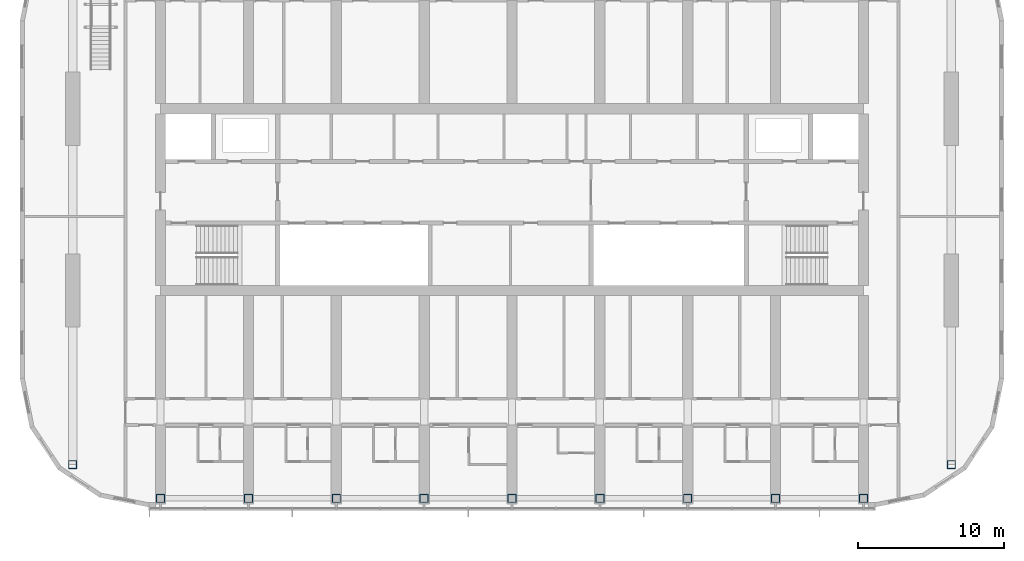
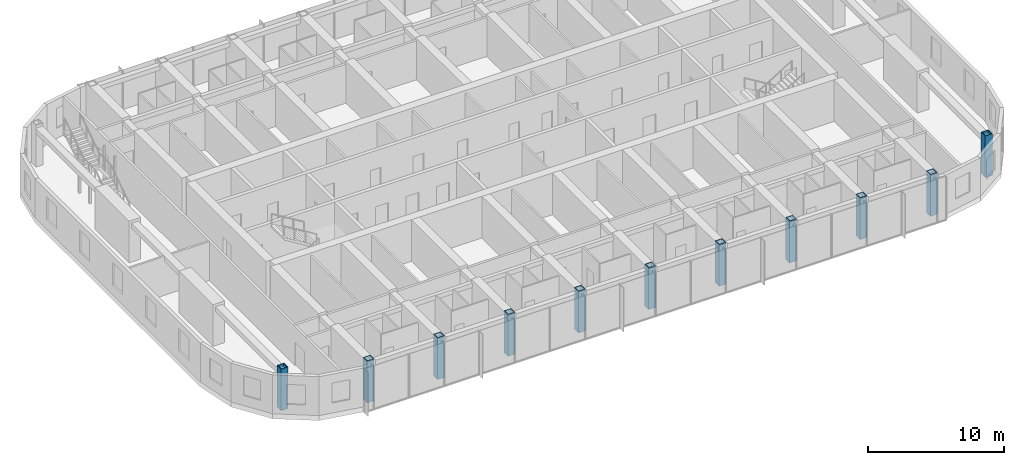
# One storey, part 1 of 27: 11 columns.
"""IFC4 building model written with IfcOpenShell, lengths in metres."""

from ifc_helpers import new_model, si_unit, direction, frame, origin, origin_2d, place, context, subcontext, project, spatial, hollow_rectangle, extrude, material, material_profile, profile_set, type_object, element, save


model = new_model("IFC4")

# Units and contexts
model_context = context("Model", 3, precision=1e-05, world=origin(), true_north=direction((0.0, 1.0)))
body_context = subcontext(model_context, "Body", "Model", "MODEL_VIEW")
ifc_project = project(units=[si_unit("LENGTHUNIT", "METRE"), si_unit("AREAUNIT", "SQUARE_METRE"), si_unit("VOLUMEUNIT", "CUBIC_METRE"), si_unit("PLANEANGLEUNIT", "RADIAN"), si_unit("MASSUNIT", "GRAM", prefix="KILO")], contexts=[model_context])

# Site, building, storey
site_placement = place(None, origin())
site = spatial("IfcSite", under=ifc_project, at=site_placement, CompositionType="ELEMENT")
building_placement = place(site_placement, origin())
building = spatial("IfcBuilding", under=site, at=building_placement, Name="Orbita Commons", CompositionType="ELEMENT")
storey_placement = place(building_placement, frame((0.0, 0.0, 246.550048828125)))
storey = spatial("IfcBuildingStorey", under=building, at=storey_placement, Name="L61", CompositionType="ELEMENT", Elevation=246.550048828125)

# Columns
ifc_material = material(Name="Steel ASTM A572 Gr 50 welded plate", Category="steel")
ifc_material_profile = material_profile(ifc_material, hollow_rectangle(XDim=0.60009765625, YDim=0.60009765625, WallThickness=0.06005859375, at=origin_2d()), Name="BOX 600x600x60")
ifc_profile_set = profile_set([ifc_material_profile], Name="Steel ASTM A572 Gr 50 welded plate")
column_type = type_object("IfcColumnType", Name="Steel column BOX 600x600x60", PredefinedType="COLUMN", material=ifc_profile_set)
for number, where, z_axis, x_axis, name in (
    (1, (18.0, 11.60009765625, 0.0), (0.0, 0.0, 1.0), (1.0, 0.0, 0.0), "Column 4/B L61"),
    (2, (24.0, 11.60009765625, 0.0), (0.0, 0.0, 1.0), (1.0, 0.0, 0.0), "Column 5/B L61"),
    (3, (30.0, 11.60009765625, 0.0), (0.0, 0.0, 1.0), (1.0, 0.0, 0.0), "Column 6/B L61"),
    (4, (36.0, 11.60009765625, 0.0), (0.0, 0.0, 1.0), (1.0, 0.0, 0.0), "Column 7/B L61"),
    (5, (42.0, 11.60009765625, 0.0), (0.0, 0.0, 1.0), (1.0, 0.0, 0.0), "Column 8/B L61"),
    (6, (48.0, 11.60009765625, 0.0), (0.0, 0.0, 1.0), (1.0, 0.0, 0.0), "Column 9/B L61"),
    (7, (54.0, 11.60009765625, 0.0), (0.0, 0.0, 1.0), (1.0, 0.0, 0.0), "Column 10/B L61"),
    (8, (60.0, 11.60009765625, 0.0), (0.0, 0.0, 1.0), (1.0, 0.0, 0.0), "Column 11/B L61"),
    (9, (66.0, 11.60009765625, 0.0), (0.0, 0.0, 1.0), (1.0, 0.0, 0.0), "Column 12/B L61"),
    (10, (12.0, 13.89990234375, 0.0), (0.0, 0.0, 1.0), (1.0, 0.0, 0.0), "Column 3/13.9 L61"),
    (11, (72.0, 13.89990234375, 0.0), (0.0, 0.0, 1.0), (1.0, 0.0, 0.0), "Column 13/13.9 L61"),
):
    element("IfcColumn", number, at=place(storey_placement, frame(where, z_axis=z_axis, x_axis=x_axis)), inside=storey, type_object=column_type, Name=name, PredefinedType="COLUMN", context=body_context, shape_type="SweptSolid", body=[
        extrude(hollow_rectangle(XDim=0.60009765625, YDim=0.60009765625, WallThickness=0.06005859375, at=origin_2d()), origin(), (0.0, 0.0, 1.0), 3.75),
    ])

save(model, "model.ifc")
